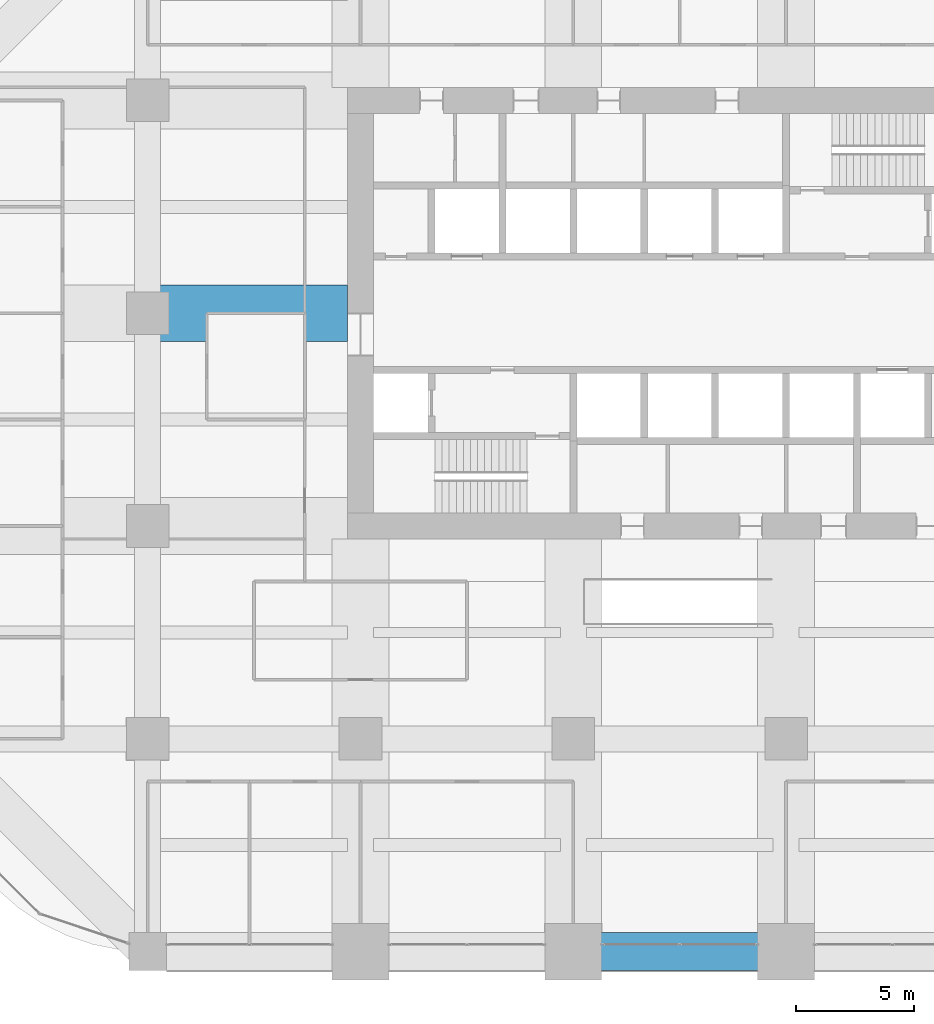
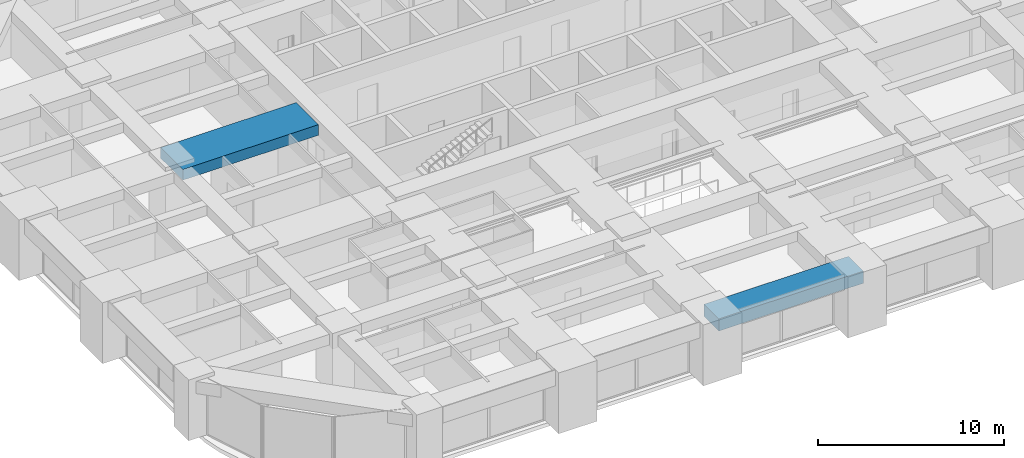
# One storey, part 12 of 43: 2 beams.
"""IFC4 building model written with IfcOpenShell, lengths in metres."""

from ifc_helpers import new_model, si_unit, direction, frame, origin, origin_2d, place, context, subcontext, project, spatial, rectangle, extrude, material, material_profile, profile_set, type_object, element, save


model = new_model("IFC4")

# Units and contexts
model_context = context("Model", 3, precision=1e-05, world=origin(), true_north=direction((0.0, 1.0)))
body_context = subcontext(model_context, "Body", "Model", "MODEL_VIEW")
ifc_project = project(units=[si_unit("LENGTHUNIT", "METRE"), si_unit("AREAUNIT", "SQUARE_METRE"), si_unit("VOLUMEUNIT", "CUBIC_METRE"), si_unit("PLANEANGLEUNIT", "RADIAN"), si_unit("MASSUNIT", "GRAM", prefix="KILO")], contexts=[model_context])

# Site, building, storey
site_placement = place(None, origin())
site = spatial("IfcSite", under=ifc_project, at=site_placement, CompositionType="ELEMENT")
building_placement = place(site_placement, origin())
building = spatial("IfcBuilding", under=site, at=building_placement, Name="Zorevar Civic Tower", CompositionType="ELEMENT")
storey_placement = place(building_placement, frame((0.0, 0.0, 141.0)))
storey = spatial("IfcBuildingStorey", under=building, at=storey_placement, Name="L34", CompositionType="ELEMENT", Elevation=141.0)

# Beams
ifc_material_1 = material(Name="Concrete C50/60", Category="concrete")
ifc_material_profile_1 = material_profile(ifc_material_1, rectangle(XDim=2.39990234375, YDim=0.699951171875, at=origin_2d()), Name="RC 2400x700")
ifc_profile_set_1 = profile_set([ifc_material_profile_1], Name="Concrete C50/60")
beam_type_1 = type_object("IfcBeamType", Name="Beam RC 2400x700", PredefinedType="BEAM", material=ifc_profile_set_1)
beam_1_placement = place(storey_placement, frame((9.0, 27.0, 3.39990234375), z_axis=(1.0, 0.0, 0.0), x_axis=(0.0, 1.0, 0.0)))
element("IfcBeam", 1, at=beam_1_placement, inside=storey, type_object=beam_type_1, Name="Girder L35", PredefinedType="BEAM", context=body_context, shape_type="SweptSolid", body=[
    extrude(rectangle(XDim=2.39990234375, YDim=0.699951171875, at=origin_2d()), origin(), (0.0, 0.0, 1.0), 8.449951171875),
])
ifc_material_2 = material(Name="Concrete C50/60", Category="concrete")
ifc_material_profile_2 = material_profile(ifc_material_2, rectangle(XDim=1.60009765625, YDim=0.800048828125, at=origin_2d()), Name="RC 1600x800")
ifc_profile_set_2 = profile_set([ifc_material_profile_2], Name="Concrete C50/60")
beam_type_2 = type_object("IfcBeamType", Name="Edge beam RC 1600x800", PredefinedType="SPANDREL", material=ifc_profile_set_2)
beam_2_placement = place(storey_placement, frame((27.0, 0.0, 3.35009765625), z_axis=(1.0, 0.0, 0.0), x_axis=(0.0, 1.0, 0.0)))
element("IfcBeam", 2, at=beam_2_placement, inside=storey, type_object=beam_type_2, Name="Edge beam L35", PredefinedType="SPANDREL", context=body_context, shape_type="SweptSolid", body=[
    extrude(rectangle(XDim=1.60009765625, YDim=0.800048828125, at=origin_2d()), origin(), (0.0, 0.0, 1.0), 9.0),
])

save(model, "model.ifc")
